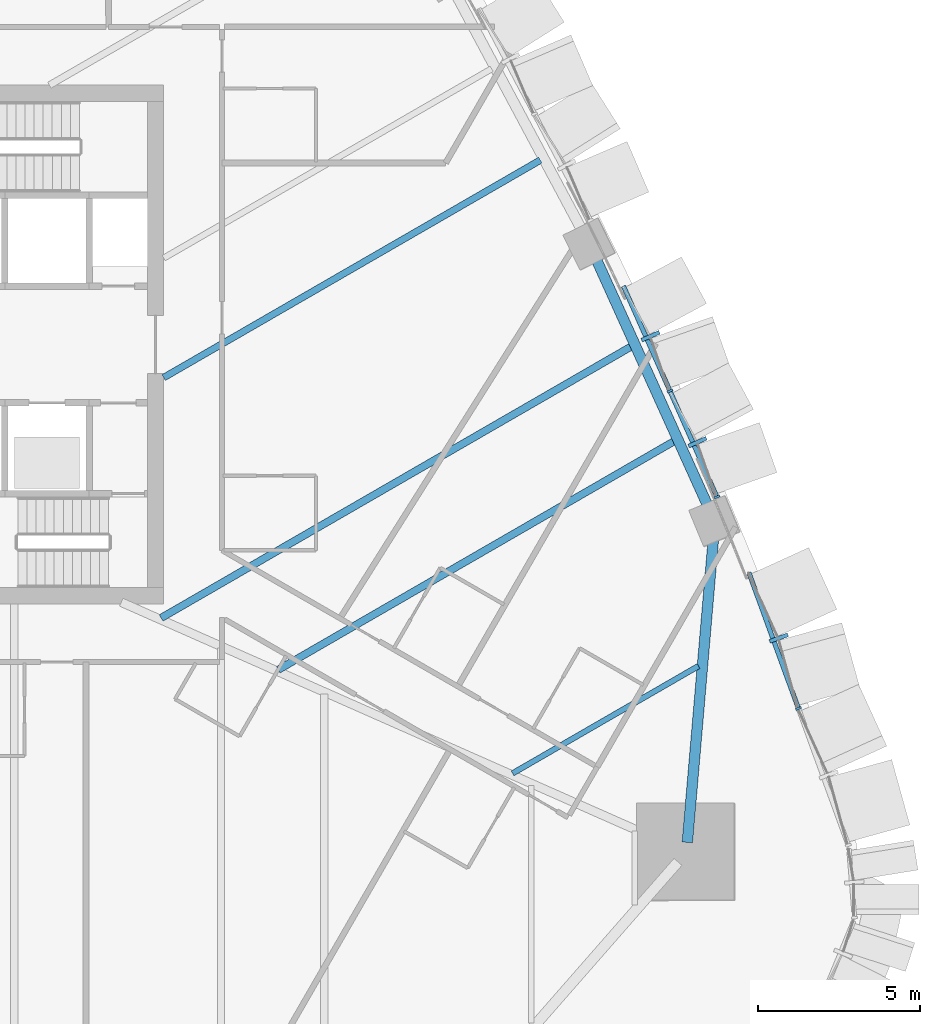
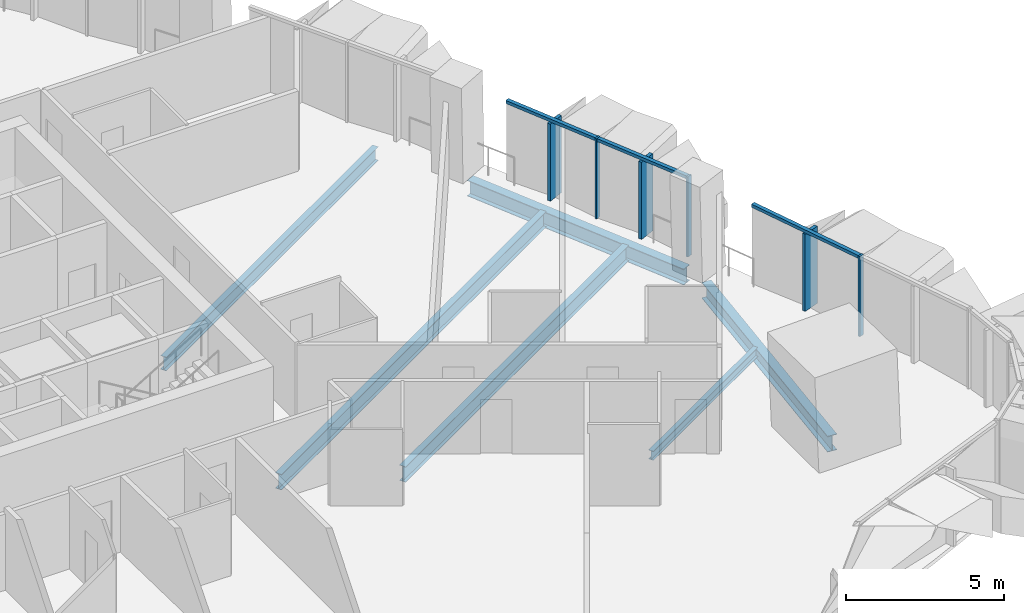
# One storey, part 5 of 23: 9 members, 6 beams, 2 elements without a shape of their own.
"""IFC4 building model written with IfcOpenShell, lengths in metres."""

from ifc_helpers import new_model, si_unit, direction, frame, origin, origin_2d, place, context, subcontext, project, spatial, rectangle, i_section, extrude, material, layer, layer_set, material_profile, profile_set, type_object, element, aggregate, save


model = new_model("IFC4")

# Units and contexts
model_context = context("Model", 3, precision=1e-05, world=origin(), true_north=direction((0.0, 1.0)))
body_context = subcontext(model_context, "Body", "Model", "MODEL_VIEW")
ifc_project = project(units=[si_unit("LENGTHUNIT", "METRE"), si_unit("AREAUNIT", "SQUARE_METRE"), si_unit("VOLUMEUNIT", "CUBIC_METRE"), si_unit("PLANEANGLEUNIT", "RADIAN"), si_unit("MASSUNIT", "GRAM", prefix="KILO")], contexts=[model_context])

# Site, building, storey
site_placement = place(None, origin())
site = spatial("IfcSite", under=ifc_project, at=site_placement, CompositionType="ELEMENT")
building_placement = place(site_placement, origin())
building = spatial("IfcBuilding", under=site, at=building_placement, Name="Sierra Prisma Convention Tower", CompositionType="ELEMENT")
storey_placement = place(building_placement, frame((0.0, 0.0, 51.699951171875)))
storey = spatial("IfcBuildingStorey", under=building, at=storey_placement, Name="L08", CompositionType="ELEMENT", Elevation=51.699951171875)

# Curtain wall, member
ifc_material_1 = material(Name="Aluminium and glass curtain wall", Category="aluminium")
ifc_layer = layer(ifc_material_1, 0.179931640625)
ifc_layer_set = layer_set([ifc_layer], Name="CW-2 Faceted crystal curtain wall")
curtain_wall_type = type_object("IfcCurtainWallType", Name="CW-2 Faceted crystal curtain wall", PredefinedType="NOTDEFINED", material=ifc_layer_set)
curtain_wall_1_placement = place(storey_placement, origin())
curtain_wall_1 = element("IfcCurtainWall", 1, at=curtain_wall_1_placement, inside=storey, type_object=curtain_wall_type, Name="CW-2 NE1 L08", PredefinedType="NOTDEFINED")
ifc_material_2 = material(Name="Aluminium 6063-T6 bronze anodised", Category="aluminium")
ifc_material_profile_1 = material_profile(ifc_material_2, rectangle(XDim=0.1201171875, YDim=0.60009765625, at=origin_2d()), Name="ALU RIDGE BLADE 120x600")
ifc_profile_set_1 = profile_set([ifc_material_profile_1], Name="Aluminium 6063-T6 bronze anodised")
member_type_1 = type_object("IfcMemberType", Name="CW hip bronze", PredefinedType="MULLION", material=ifc_profile_set_1)
member_1_placement = place(storey_placement, frame((29.976806640625, -9.059326171875, 0.0), z_axis=(0.0, 0.0, 1.0), x_axis=(-0.342675826115, 0.939453712642, 0.0)))
member_1 = element("IfcMember", 2, at=member_1_placement, type_object=member_type_1, Name="CW-2 ridge NE1.2", PredefinedType="MULLION", context=body_context, shape_type="SweptSolid", body=[
    extrude(rectangle(XDim=0.1201171875, YDim=0.60009765625, at=origin_2d()), origin(), (0.0, 0.0, 1.0), 2.97998046875),
])

# Curtain wall, members
curtain_wall_2_placement = place(storey_placement, origin())
curtain_wall_2 = element("IfcCurtainWall", 3, at=curtain_wall_2_placement, inside=storey, type_object=curtain_wall_type, Name="CW-2 NE2 L08", PredefinedType="NOTDEFINED")
member_2_placement = place(storey_placement, frame((27.4697265625, -3.0126953125, 0.0), z_axis=(0.0, 0.0, 1.0), x_axis=(-0.405287620328, 0.914189228119, 0.0)))
member_2 = element("IfcMember", 4, at=member_2_placement, type_object=member_type_1, Name="CW-2 ridge NE2.1", PredefinedType="MULLION", context=body_context, shape_type="SweptSolid", body=[
    extrude(rectangle(XDim=0.1201171875, YDim=0.60009765625, at=origin_2d()), origin(), (0.0, 0.0, 1.0), 2.97998046875),
])
member_3_placement = place(storey_placement, frame((26.020751953125, 0.256103515625, 0.0), z_axis=(0.0, 0.0, 1.0), x_axis=(-0.405287620328, 0.914189228119, 0.0)))
member_3 = element("IfcMember", 5, at=member_3_placement, type_object=member_type_1, Name="CW-2 ridge NE2.2", PredefinedType="MULLION", context=body_context, shape_type="SweptSolid", body=[
    extrude(rectangle(XDim=0.1201171875, YDim=0.60009765625, at=origin_2d()), origin(), (0.0, 0.0, 1.0), 2.97998046875),
])

# Member
ifc_material_3 = material(Name="Aluminium 6063-T6 bronze anodised", Category="aluminium")
ifc_material_profile_2 = material_profile(ifc_material_3, rectangle(XDim=0.179931640625, YDim=0.070068359375, at=origin_2d()), Name="ALU MULLION 70x180")
ifc_profile_set_2 = profile_set([ifc_material_profile_2], Name="Aluminium 6063-T6 bronze anodised")
member_type_2 = type_object("IfcMemberType", Name="CW mullion bronze", PredefinedType="MULLION", material=ifc_profile_set_2)
member_4_placement = place(storey_placement, frame((30.5830078125, -11.2294921875, 0.0), z_axis=(0.0, 0.0, 1.0), x_axis=(-0.939453712642, -0.342675826115, 0.0)))
member_4 = element("IfcMember", 6, at=member_4_placement, type_object=member_type_2, Name="CW-1 mullion NE1.2", PredefinedType="MULLION", context=body_context, shape_type="SweptSolid", body=[
    extrude(rectangle(XDim=0.179931640625, YDim=0.070068359375, at=origin_2d()), origin(), (0.0, 0.0, 1.0), 3.10009765625),
])

member_5_placement = place(storey_placement, frame((28.068115234375, -4.702880859375, 0.0), z_axis=(0.0, 0.0, 1.0), x_axis=(-0.914189228119, -0.405287620328, 0.0)))
member_5 = element("IfcMember", 7, at=member_5_placement, type_object=member_type_2, Name="CW-1 mullion NE2.1", PredefinedType="MULLION", context=body_context, shape_type="SweptSolid", body=[
    extrude(rectangle(XDim=0.179931640625, YDim=0.070068359375, at=origin_2d()), origin(), (0.0, 0.0, 1.0), 3.10009765625),
])

member_6_placement = place(storey_placement, frame((26.619140625, -1.43408203125, 0.0), z_axis=(0.0, 0.0, 1.0), x_axis=(-0.914189228119, -0.405287620328, 0.0)))
member_6 = element("IfcMember", 8, at=member_6_placement, type_object=member_type_2, Name="CW-1 mullion NE2.2", PredefinedType="MULLION", context=body_context, shape_type="SweptSolid", body=[
    extrude(rectangle(XDim=0.179931640625, YDim=0.070068359375, at=origin_2d()), origin(), (0.0, 0.0, 1.0), 3.10009765625),
])

ifc_material_4 = material(Name="Aluminium 6063-T6 bronze anodised", Category="aluminium")
ifc_material_profile_3 = material_profile(ifc_material_4, rectangle(XDim=0.139892578125, YDim=0.1201171875, at=origin_2d()), Name="ALU TRANSOM 120x140")
ifc_profile_set_3 = profile_set([ifc_material_profile_3], Name="Aluminium 6063-T6 bronze anodised")
member_type_3 = type_object("IfcMemberType", Name="CW transom bronze", PredefinedType="USERDEFINED", material=ifc_profile_set_3)
member_7_placement = place(storey_placement, frame((30.571044921875, -11.196533203125, 3.0400390625), z_axis=(-0.342682503518, 0.939451276961, 0.0), x_axis=(-0.939451276961, -0.342682503518, 0.0)))
member_7 = element("IfcMember", 9, at=member_7_placement, type_object=member_type_3, Name="CW-1 transom NE1.2", ObjectType="TRANSOM", PredefinedType="USERDEFINED", context=body_context, shape_type="SweptSolid", body=[
    extrude(rectangle(XDim=0.139892578125, YDim=0.1201171875, at=origin_2d()), origin(), (0.0, 0.0, 1.0), 4.4228515625),
])

aggregate(curtain_wall_1, [member_4, member_7, member_1])

member_8_placement = place(storey_placement, frame((28.053955078125, -4.6708984375, 3.0400390625), z_axis=(-0.405253018733, 0.914204567265, 0.0), x_axis=(-0.914204567265, -0.405253018733, 0.0)))
member_8 = element("IfcMember", 10, at=member_8_placement, type_object=member_type_3, Name="CW-1 transom NE2.1", ObjectType="TRANSOM", PredefinedType="USERDEFINED", context=body_context, shape_type="SweptSolid", body=[
    extrude(rectangle(XDim=0.139892578125, YDim=0.1201171875, at=origin_2d()), origin(), (0.0, 0.0, 1.0), 3.505615234375),
])

member_9_placement = place(storey_placement, frame((26.60498046875, -1.402099609375, 3.0400390625), z_axis=(-0.405337027241, 0.914167322949, 0.0), x_axis=(-0.914167322949, -0.405337027241, 0.0)))
member_9 = element("IfcMember", 11, at=member_9_placement, type_object=member_type_3, Name="CW-1 transom NE2.2", ObjectType="TRANSOM", PredefinedType="USERDEFINED", context=body_context, shape_type="SweptSolid", body=[
    extrude(rectangle(XDim=0.139892578125, YDim=0.1201171875, at=origin_2d()), origin(), (0.0, 0.0, 1.0), 3.50537109375),
])

aggregate(curtain_wall_2, [member_5, member_6, member_8, member_2, member_9, member_3])

# Beams
ifc_material_5 = material(Name="Steel ASTM A992 Gr 50", Category="steel")
ifc_material_profile_4 = material_profile(ifc_material_5, i_section(OverallWidth=0.172119140625, OverallDepth=0.35791015625, WebThickness=0.0078125, FlangeThickness=0.01318359375, at=origin_2d()), Name="W360x57")
ifc_profile_set_4 = profile_set([ifc_material_profile_4], Name="Steel ASTM A992 Gr 50")
beam_type_1 = type_object("IfcBeamType", Name="Floor joist W360x57", PredefinedType="JOIST", material=ifc_profile_set_4)
beam_1_placement = place(storey_placement, frame((27.499755859375, -9.92041015625, -0.328857421875), z_axis=(-0.866032137748, -0.499988336251, 0.0), x_axis=(0.499988336251, -0.866032137748, 0.0)))
element("IfcBeam", 12, at=beam_1_placement, inside=storey, type_object=beam_type_1, Name="Floor joist L08 NE02", PredefinedType="JOIST", context=body_context, shape_type="SweptSolid", body=[
    extrude(i_section(OverallWidth=0.172119140625, OverallDepth=0.35791015625, WebThickness=0.0078125, FlangeThickness=0.01318359375, at=origin_2d()), origin(), (0.0, 0.0, 1.0), 6.623779296875),
])
ifc_material_6 = material(Name="Steel ASTM A992 Gr 50", Category="steel")
ifc_material_profile_5 = material_profile(ifc_material_6, i_section(OverallWidth=0.208984375, OverallDepth=0.532958984375, WebThickness=0.01025390625, FlangeThickness=0.015625, at=origin_2d()), Name="W530x92")
ifc_profile_set_5 = profile_set([ifc_material_profile_5], Name="Steel ASTM A992 Gr 50")
beam_type_2 = type_object("IfcBeamType", Name="Floor joist W530x92", PredefinedType="JOIST", material=ifc_profile_set_5)
beam_2_placement = place(storey_placement, frame((22.62158203125, 5.68994140625, -0.41650390625), z_axis=(-0.866025620534, -0.499999624578, 0.0), x_axis=(0.499999624578, -0.866025620534, 0.0)))
element("IfcBeam", 13, at=beam_2_placement, inside=storey, type_object=beam_type_2, Name="Floor joist L08 NE07", PredefinedType="JOIST", context=body_context, shape_type="SweptSolid", body=[
    extrude(i_section(OverallWidth=0.208984375, OverallDepth=0.532958984375, WebThickness=0.01025390625, FlangeThickness=0.015625, at=origin_2d()), origin(), (0.0, 0.0, 1.0), 13.41943359375),
])
ifc_material_7 = material(Name="Steel ASTM A992 Gr 50", Category="steel")
ifc_material_profile_6 = material_profile(ifc_material_7, i_section(OverallWidth=0.22802734375, OverallDepth=0.60302734375, WebThickness=0.010498046875, FlangeThickness=0.014892578125, at=origin_2d()), Name="W610x101")
ifc_profile_set_6 = profile_set([ifc_material_profile_6], Name="Steel ASTM A992 Gr 50")
beam_type_3 = type_object("IfcBeamType", Name="Floor joist W610x101", PredefinedType="JOIST", material=ifc_profile_set_6)
beam_3_placement = place(storey_placement, frame((26.758544921875, -2.977783203125, -0.451416015625), z_axis=(-0.866033512162, -0.499985955615, 0.0), x_axis=(0.499985955615, -0.866033512162, 0.0)))
element("IfcBeam", 14, at=beam_3_placement, inside=storey, type_object=beam_type_3, Name="Floor joist L08 NE04", PredefinedType="JOIST", context=body_context, shape_type="SweptSolid", body=[
    extrude(i_section(OverallWidth=0.22802734375, OverallDepth=0.60302734375, WebThickness=0.010498046875, FlangeThickness=0.014892578125, at=origin_2d()), origin(), (0.0, 0.0, 1.0), 14.11572265625),
])
beam_4_placement = place(storey_placement, frame((25.4365234375, -0.055419921875, -0.451416015625), z_axis=(-0.866021630609, -0.500006535274, 0.0), x_axis=(0.500006535274, -0.866021630609, 0.0)))
element("IfcBeam", 15, at=beam_4_placement, inside=storey, type_object=beam_type_3, Name="Floor joist L08 NE05", PredefinedType="JOIST", context=body_context, shape_type="SweptSolid", body=[
    extrude(i_section(OverallWidth=0.22802734375, OverallDepth=0.60302734375, WebThickness=0.010498046875, FlangeThickness=0.014892578125, at=origin_2d()), origin(), (0.0, 0.0, 1.0), 16.762939453125),
])
ifc_material_8 = material(Name="Steel ASTM A992 Gr 50", Category="steel")
ifc_material_profile_7 = material_profile(ifc_material_8, i_section(OverallWidth=0.324951171875, OverallDepth=0.615966796875, WebThickness=0.013916015625, FlangeThickness=0.021484375, at=origin_2d()), Name="W610x174")
ifc_profile_set_7 = profile_set([ifc_material_profile_7], Name="Steel ASTM A992 Gr 50")
beam_type_4 = type_object("IfcBeamType", Name="Spandrel beam W610x174", PredefinedType="BEAM", material=ifc_profile_set_7)
beam_5_placement = place(storey_placement, frame((27.154296875, -15.362548828125, -0.4580078125), z_axis=(0.085566427831, 0.996332467818, 0.0), x_axis=(-0.996332467818, 0.085566427831, 0.0)))
element("IfcBeam", 16, at=beam_5_placement, inside=storey, type_object=beam_type_4, Name="Spandrel L08-07", PredefinedType="BEAM", context=body_context, shape_type="SweptSolid", body=[
    extrude(i_section(OverallWidth=0.324951171875, OverallDepth=0.615966796875, WebThickness=0.013916015625, FlangeThickness=0.021484375, at=origin_2d()), origin(), (0.0, 0.0, 1.0), 9.38427734375),
])
beam_6_placement = place(storey_placement, frame((27.806640625, -5.021484375, -0.4580078125), z_axis=(-0.4121220761, 0.911128637675, 0.0), x_axis=(-0.911128637675, -0.4121220761, 0.0)))
element("IfcBeam", 17, at=beam_6_placement, inside=storey, type_object=beam_type_4, Name="Spandrel L08-08", PredefinedType="BEAM", context=body_context, shape_type="SweptSolid", body=[
    extrude(i_section(OverallWidth=0.324951171875, OverallDepth=0.615966796875, WebThickness=0.013916015625, FlangeThickness=0.021484375, at=origin_2d()), origin(), (0.0, 0.0, 1.0), 8.429931640625),
])

save(model, "model.ifc")
